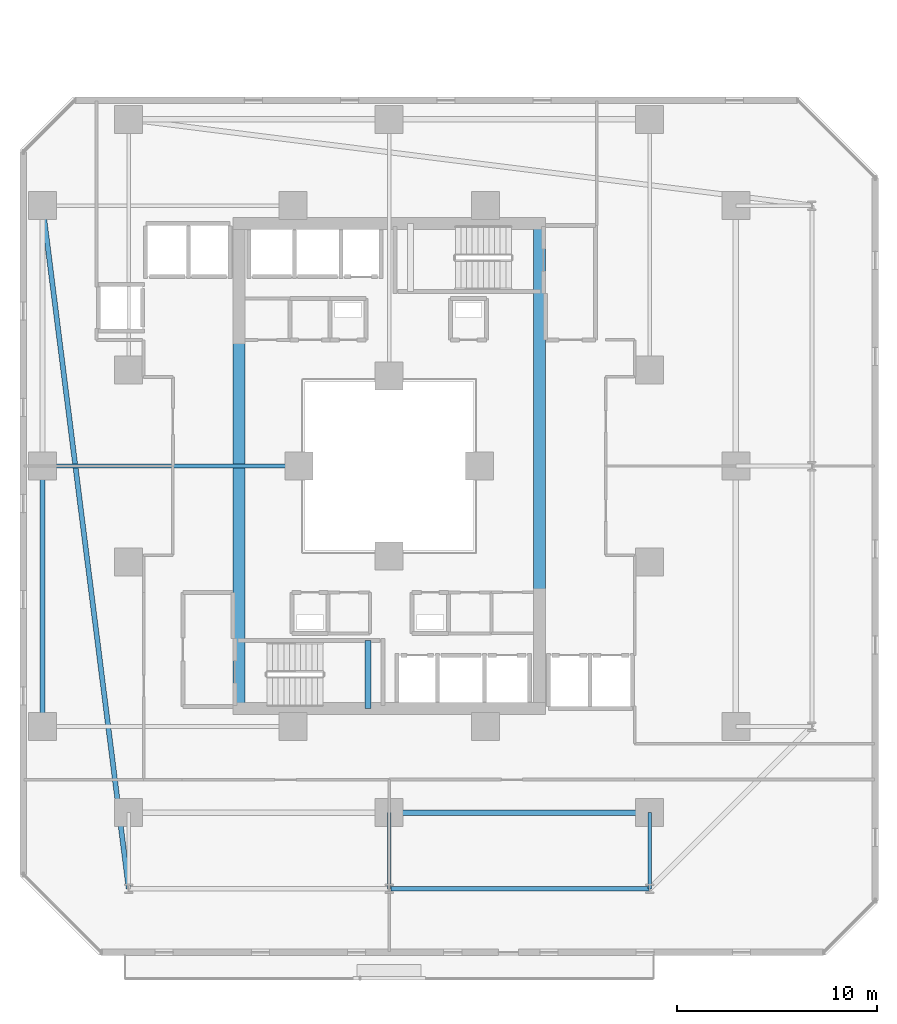
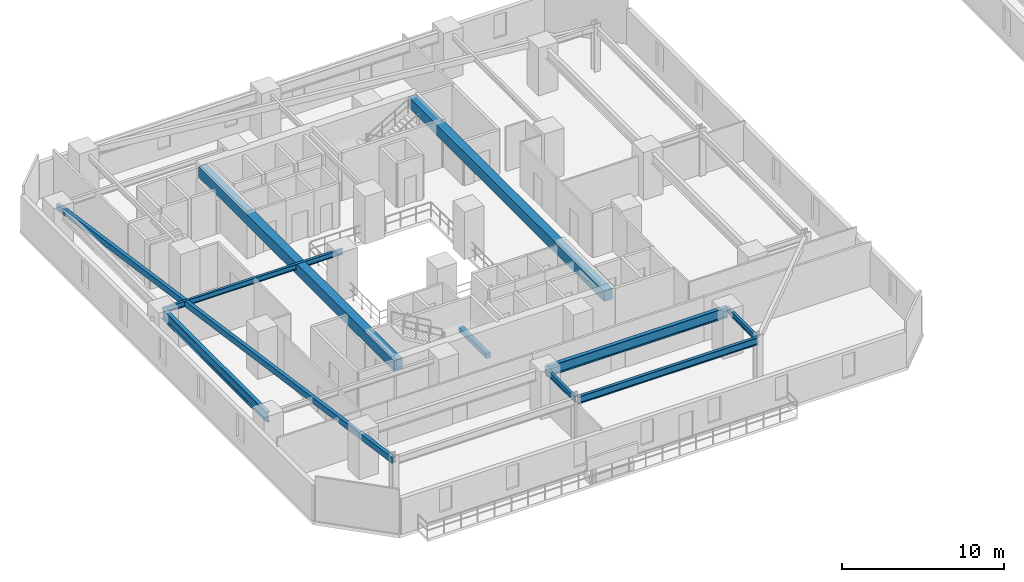
# One storey, part 4 of 34: 10 beams.
"""IFC4 building model written with IfcOpenShell, lengths in metres."""

from ifc_helpers import new_model, si_unit, direction, frame, origin, origin_2d, place, context, subcontext, project, spatial, rectangle, hollow_rectangle, i_section, extrude, material, material_profile, profile_set, type_object, element, save


model = new_model("IFC4")

# Units and contexts
model_context = context("Model", 3, precision=1e-05, world=origin(), true_north=direction((0.0, 1.0)))
body_context = subcontext(model_context, "Body", "Model", "MODEL_VIEW")
ifc_project = project(units=[si_unit("LENGTHUNIT", "METRE"), si_unit("AREAUNIT", "SQUARE_METRE"), si_unit("VOLUMEUNIT", "CUBIC_METRE"), si_unit("PLANEANGLEUNIT", "RADIAN"), si_unit("MASSUNIT", "GRAM", prefix="KILO")], contexts=[model_context])

# Site, building, storey
site_placement = place(None, origin())
site = spatial("IfcSite", under=ifc_project, at=site_placement, CompositionType="ELEMENT")
building_placement = place(site_placement, origin())
building = spatial("IfcBuilding", under=site, at=building_placement, Name="Thornwick Lancets Civic Towers", CompositionType="ELEMENT")
storey_placement = place(building_placement, frame((0.0, 0.0, 53.699951171875)))
storey = spatial("IfcBuildingStorey", under=building, at=storey_placement, Name="L13", CompositionType="ELEMENT", Elevation=53.699951171875)

# Beams
ifc_material_1 = material(Name="Concrete C60/75", Category="concrete")
ifc_material_profile_1 = material_profile(ifc_material_1, rectangle(XDim=0.60009765625, YDim=0.800048828125, at=origin_2d()), Name="RC 600x800")
ifc_profile_set_1 = profile_set([ifc_material_profile_1], Name="Concrete C60/75")
beam_type_1 = type_object("IfcBeamType", Name="BM_COUP_RC800", PredefinedType="BEAM", material=ifc_profile_set_1)
for number, where, z_axis, x_axis, name in (
    (1, (33.0, 14.89990234375, 2.9599609375), (0.0, 1.0, 0.0), (-1.0, 0.0, 0.0), "CB-L13-A1"),
    (2, (18.0, 14.89990234375, 2.9599609375), (0.0, 1.0, 0.0), (-1.0, 0.0, 0.0), "CB-L13-A2"),
):
    element("IfcBeam", number, at=place(storey_placement, frame(where, z_axis=z_axis, x_axis=x_axis)), inside=storey, type_object=beam_type_1, Name=name, PredefinedType="BEAM", context=body_context, shape_type="SweptSolid", body=[
        extrude(rectangle(XDim=0.60009765625, YDim=0.800048828125, at=origin_2d()), origin(), (0.0, 0.0, 1.0), 24.2001953125),
    ])
ifc_material_2 = material(Name="Steel S355JR", Category="steel")
ifc_material_profile_2 = material_profile(ifc_material_2, i_section(OverallWidth=0.2119140625, OverallDepth=0.54443359375, WebThickness=0.0126953125, FlangeThickness=0.021240234375, FilletRadius=0.0126953125, at=origin_2d()), Name="UKB 533x210x122")
ifc_profile_set_2 = profile_set([ifc_material_profile_2], Name="Steel S355JR")
beam_type_2 = type_object("IfcBeamType", Name="BM_EDGE_533_122", PredefinedType="SPANDREL", material=ifc_profile_set_2)
beam_1_placement = place(storey_placement, frame((25.580078125, 5.89990234375, 3.087890625), z_axis=(1.0, 0.0, 0.0), x_axis=(0.0, 1.0, 0.0)))
element("IfcBeam", 3, at=beam_1_placement, inside=storey, type_object=beam_type_2, Name="BM-EDGE-L13-A-S0-2", PredefinedType="SPANDREL", context=body_context, shape_type="SweptSolid", body=[
    extrude(i_section(OverallWidth=0.2119140625, OverallDepth=0.54443359375, WebThickness=0.0126953125, FlangeThickness=0.021240234375, FilletRadius=0.0126953125, at=origin_2d()), origin(), (0.0, 0.0, 1.0), 12.919921875),
])
ifc_material_profile_3 = material_profile(ifc_material_2, i_section(OverallWidth=0.26806640625, OverallDepth=0.769775390625, WebThickness=0.015625, FlangeThickness=0.025390625, FilletRadius=0.0166015625, at=origin_2d()), Name="UKB 762x267x197")
ifc_profile_set_3 = profile_set([ifc_material_profile_3], Name="Steel S355JR")
beam_type_3 = type_object("IfcBeamType", Name="BM_GIRD_762_197", PredefinedType="BEAM", material=ifc_profile_set_3)
beam_2_placement = place(storey_placement, frame((25.580078125, 9.699951171875, 2.97509765625), z_axis=(1.0, 0.0, 0.0), x_axis=(0.0, 1.0, 0.0)))
element("IfcBeam", 4, at=beam_2_placement, inside=storey, type_object=beam_type_3, Name="BM-SPINE-L13-A-1-2", PredefinedType="BEAM", context=body_context, shape_type="SweptSolid", body=[
    extrude(i_section(OverallWidth=0.26806640625, OverallDepth=0.769775390625, WebThickness=0.015625, FlangeThickness=0.025390625, FilletRadius=0.0166015625, at=origin_2d()), origin(), (0.0, 0.0, 1.0), 12.919921875),
])
beam_3_placement = place(storey_placement, frame((8.199951171875, 14.0, 2.97509765625), z_axis=(0.0, 1.0, 0.0), x_axis=(-1.0, 0.0, 0.0)))
element("IfcBeam", 5, at=beam_3_placement, inside=storey, type_object=beam_type_3, Name="BM-SPINE-L13-A-9-10", PredefinedType="BEAM", context=body_context, shape_type="SweptSolid", body=[
    extrude(i_section(OverallWidth=0.26806640625, OverallDepth=0.769775390625, WebThickness=0.015625, FlangeThickness=0.025390625, FilletRadius=0.0166015625, at=origin_2d()), origin(), (0.0, 0.0, 1.0), 13.0),
])
ifc_material_profile_4 = material_profile(ifc_material_2, i_section(OverallWidth=0.179443359375, OverallDepth=0.412841796875, WebThickness=0.009521484375, FlangeThickness=0.01611328125, FilletRadius=0.01025390625, at=origin_2d()), Name="UKB 406x178x74")
ifc_profile_set_4 = profile_set([ifc_material_profile_4], Name="Steel S355JR")
beam_type_4 = type_object("IfcBeamType", Name="BM_JOIST_406_74", PredefinedType="JOIST", material=ifc_profile_set_4)
for number, where, z_axis, x_axis, name in (
    (6, (25.5, 9.699951171875, 3.153564453125), (0.0, -1.0, 0.0), (1.0, 0.0, 0.0), "BM-RAD-L13-A02"),
    (7, (38.5, 9.699951171875, 3.153564453125), (0.0, -1.0, 0.0), (1.0, 0.0, 0.0), "BM-RAD-L13-A03"),
):
    element("IfcBeam", number, at=place(storey_placement, frame(where, z_axis=z_axis, x_axis=x_axis)), inside=storey, type_object=beam_type_4, Name=name, PredefinedType="JOIST", context=body_context, shape_type="SweptSolid", body=[
        extrude(i_section(OverallWidth=0.179443359375, OverallDepth=0.412841796875, WebThickness=0.009521484375, FlangeThickness=0.01611328125, FilletRadius=0.01025390625, at=origin_2d()), origin(), (0.0, 0.0, 1.0), 3.800048828125),
    ])
beam_4_placement = place(storey_placement, frame((21.0, 27.0, 3.153564453125), z_axis=(-1.0, 0.0, 0.0), x_axis=(0.0, -1.0, 0.0)))
element("IfcBeam", 8, at=beam_4_placement, inside=storey, type_object=beam_type_4, Name="BM-RADIN-L13-A11", PredefinedType="JOIST", context=body_context, shape_type="SweptSolid", body=[
    extrude(i_section(OverallWidth=0.179443359375, OverallDepth=0.412841796875, WebThickness=0.009521484375, FlangeThickness=0.01611328125, FilletRadius=0.01025390625, at=origin_2d()), origin(), (0.0, 0.0, 1.0), 12.800048828125),
])
ifc_material_profile_5 = material_profile(ifc_material_2, hollow_rectangle(XDim=0.25, YDim=0.449951171875, WallThickness=0.01611328125, at=origin_2d()), Name="RHS 450x250x16")
ifc_profile_set_5 = profile_set([ifc_material_profile_5], Name="Steel S355JR")
beam_type_5 = type_object("IfcBeamType", Name="BM_RING_RHS450", PredefinedType="BEAM", material=ifc_profile_set_5)
beam_5_placement = place(storey_placement, frame((8.199951171875, 40.0, 3.135009765625), z_axis=(0.12510998836, -0.992142878225, 0.0), x_axis=(0.992142878225, 0.12510998836, 0.0)))
element("IfcBeam", 9, at=beam_5_placement, inside=storey, type_object=beam_type_5, Name="BM-CHAMF-L13-A-C3", PredefinedType="BEAM", context=body_context, shape_type="SweptSolid", body=[
    extrude(hollow_rectangle(XDim=0.25, YDim=0.449951171875, WallThickness=0.01611328125, at=origin_2d()), origin(), (0.0, 0.0, 1.0), 34.3701171875),
])
ifc_material_3 = material(Name="Concrete C40/50", Category="concrete")
ifc_material_profile_6 = material_profile(ifc_material_3, rectangle(XDim=0.300048828125, YDim=0.35009765625, at=origin_2d()), Name="RC 300x350")
ifc_profile_set_6 = profile_set([ifc_material_profile_6], Name="Concrete C40/50")
beam_type_6 = type_object("IfcBeamType", Name="BM_STAIR_LDG", PredefinedType="BEAM", material=ifc_profile_set_6)
beam_6_placement = place(storey_placement, frame((24.43505859375, 14.89990234375, 1.3779296875), z_axis=(0.0, 1.0, 0.0), x_axis=(-1.0, 0.0, 0.0)))
element("IfcBeam", 10, at=beam_6_placement, inside=storey, type_object=beam_type_6, Name="L13 ST-A1 Landing Support Beam 1", PredefinedType="BEAM", context=body_context, shape_type="SweptSolid", body=[
    extrude(rectangle(XDim=0.300048828125, YDim=0.35009765625, at=origin_2d()), origin(), (0.0, 0.0, 1.0), 3.400146484375),
])

save(model, "model.ifc")
